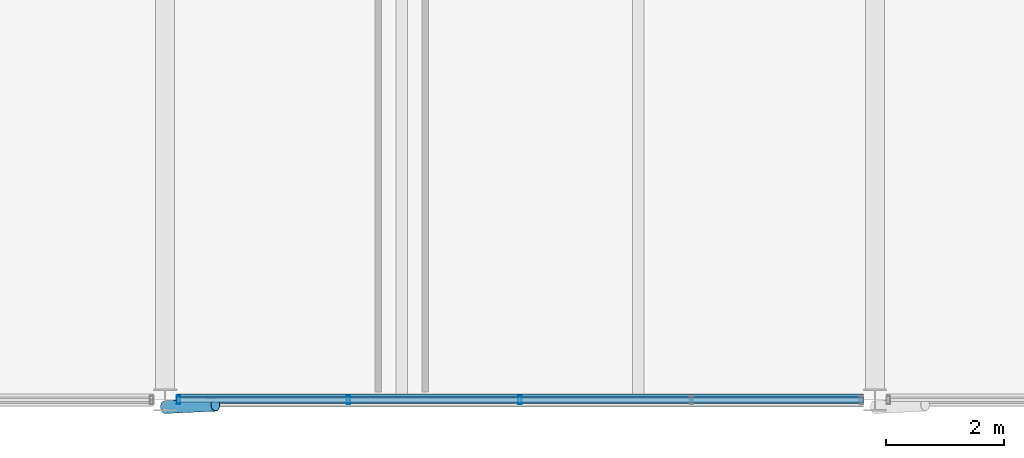
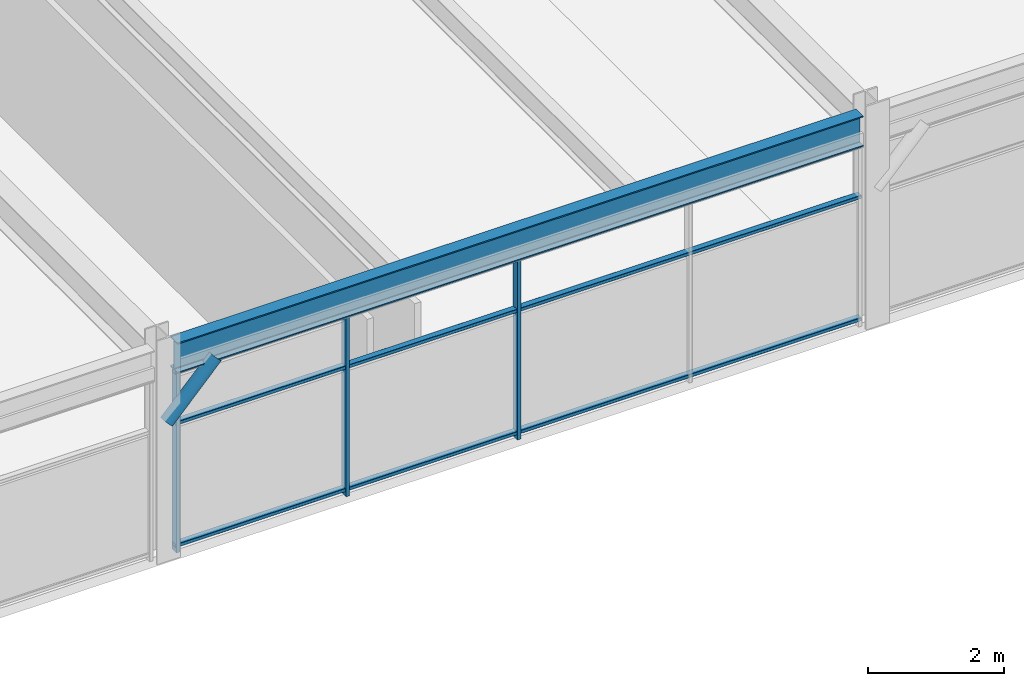
# One storey, part 28 of 52: 7 members, 1 beam, 1 element without a shape of its own.
"""IFC4 building model written with IfcOpenShell, lengths in metres."""

from ifc_helpers import new_model, si_unit, direction, frame, origin, origin_2d, place, context, subcontext, project, spatial, hollow_rectangle, hollow_circle, i_section, extrude, material, material_profile, profile_set, type_object, element, aggregate, save


model = new_model("IFC4")

# Units and contexts
model_context = context("Model", 3, precision=1e-05, world=origin(), true_north=direction((0.0, 1.0)))
body_context = subcontext(model_context, "Body", "Model", "MODEL_VIEW")
ifc_project = project(units=[si_unit("LENGTHUNIT", "METRE"), si_unit("AREAUNIT", "SQUARE_METRE"), si_unit("VOLUMEUNIT", "CUBIC_METRE"), si_unit("PLANEANGLEUNIT", "RADIAN"), si_unit("MASSUNIT", "GRAM", prefix="KILO")], contexts=[model_context])

# Site, building, storey
site_placement = place(None, origin())
site = spatial("IfcSite", under=ifc_project, at=site_placement, CompositionType="ELEMENT")
building_placement = place(site_placement, origin())
building = spatial("IfcBuilding", under=site, at=building_placement, Name="Girod Span Mobility Hub", CompositionType="ELEMENT")
storey_placement = place(building_placement, frame((0.0, 0.0, 45.60009765625)))
storey = spatial("IfcBuildingStorey", under=building, at=storey_placement, Name="L11", CompositionType="ELEMENT", Elevation=45.60009765625)

# Beam
ifc_material_1 = material(Name="Steel A992 Grade 50", Category="steel")
ifc_material_profile_1 = material_profile(ifc_material_1, i_section(OverallWidth=0.2119140625, OverallDepth=0.5439453125, WebThickness=0.01318359375, FlangeThickness=0.021240234375, FilletRadius=0.014892578125, at=origin_2d()), Name="W21X83")
ifc_profile_set_1 = profile_set([ifc_material_profile_1], Name="Steel A992 Grade 50")
beam_type = type_object("IfcBeamType", Name="BM-STL-W21X83", PredefinedType="SPANDREL", material=ifc_profile_set_1)
beam_placement = place(storey_placement, frame((96.194091796875, 27.0, 3.5078125), z_axis=(1.0, 0.0, 0.0), x_axis=(0.0, 1.0, 0.0)))
element("IfcBeam", 1, at=beam_placement, inside=storey, type_object=beam_type, Name="Girder 9-10/C L11", PredefinedType="SPANDREL", context=body_context, shape_type="SweptSolid", body=[
    extrude(i_section(OverallWidth=0.2119140625, OverallDepth=0.5439453125, WebThickness=0.01318359375, FlangeThickness=0.021240234375, FilletRadius=0.014892578125, at=origin_2d()), origin(), (0.0, 0.0, 1.0), 11.61181640625),
])

# Curtain wall, members
ifc_material_2 = material(Name="Thermally Broken Anodised Aluminium", Category="aluminium")
curtain_wall_type = type_object("IfcCurtainWallType", Name="CW-1161X324", PredefinedType="USERDEFINED", material=ifc_material_2)
curtain_wall_placement = place(storey_placement, origin())
curtain_wall = element("IfcCurtainWall", 2, at=curtain_wall_placement, inside=storey, type_object=curtain_wall_type, Name="Unitised Curtain Wall CW-L11-S09 L11", ObjectType="UNITISED CURTAIN WALL", PredefinedType="USERDEFINED")
ifc_material_3 = material(Name="Thermally Broken Anodised Aluminium", Category="aluminium")
ifc_material_profile_2 = material_profile(ifc_material_3, hollow_rectangle(XDim=0.139892578125, YDim=0.06005859375, WallThickness=0.00341796875, InnerFilletRadius=0.00341796875, OuterFilletRadius=0.007080078125, at=origin_2d()), Name="CW-ML-60X140")
ifc_profile_set_2 = profile_set([ifc_material_profile_2], Name="Thermally Broken Anodised Aluminium")
member_type_1 = type_object("IfcMemberType", Name="CWM-ML-4", PredefinedType="MULLION", material=ifc_profile_set_2)
member_1_placement = place(storey_placement, frame((96.22705078125, 27.0, 0.0), z_axis=(0.0, 0.0, 1.0), x_axis=(0.0, 1.0, 0.0)))
member_1 = element("IfcMember", 3, at=member_1_placement, type_object=member_type_1, Name="Curtain Wall Mullion CW-L11-S09-M0", PredefinedType="MULLION", context=body_context, shape_type="SweptSolid", body=[
    extrude(hollow_rectangle(XDim=0.139892578125, YDim=0.06005859375, WallThickness=0.00341796875, InnerFilletRadius=0.00341796875, OuterFilletRadius=0.007080078125, at=origin_2d()), origin(), (0.0, 0.0, 1.0), 3.23583984375),
])
member_2_placement = place(storey_placement, frame((99.097412109375, 27.0, 0.0), z_axis=(0.0, 0.0, 1.0), x_axis=(0.0, 1.0, 0.0)))
member_2 = element("IfcMember", 4, at=member_2_placement, type_object=member_type_1, Name="Curtain Wall Mullion CW-L11-S09-M1", PredefinedType="MULLION", context=body_context, shape_type="SweptSolid", body=[
    extrude(hollow_rectangle(XDim=0.139892578125, YDim=0.06005859375, WallThickness=0.00341796875, InnerFilletRadius=0.00341796875, OuterFilletRadius=0.007080078125, at=origin_2d()), origin(), (0.0, 0.0, 1.0), 3.23583984375),
])
member_3_placement = place(storey_placement, frame((102.0, 27.0, 0.0), z_axis=(0.0, 0.0, 1.0), x_axis=(0.0, 1.0, 0.0)))
member_3 = element("IfcMember", 5, at=member_3_placement, type_object=member_type_1, Name="Curtain Wall Mullion CW-L11-S09-M2", PredefinedType="MULLION", context=body_context, shape_type="SweptSolid", body=[
    extrude(hollow_rectangle(XDim=0.139892578125, YDim=0.06005859375, WallThickness=0.00341796875, InnerFilletRadius=0.00341796875, OuterFilletRadius=0.007080078125, at=origin_2d()), origin(), (0.0, 0.0, 1.0), 3.23583984375),
])
ifc_material_4 = material(Name="Thermally Broken Anodised Aluminium", Category="aluminium")
ifc_material_profile_3 = material_profile(ifc_material_4, hollow_rectangle(XDim=0.10498046875, YDim=0.06005859375, WallThickness=0.00341796875, InnerFilletRadius=0.00341796875, OuterFilletRadius=0.007080078125, at=origin_2d()), Name="CW-TR-60X105")
ifc_profile_set_3 = profile_set([ifc_material_profile_3], Name="Thermally Broken Anodised Aluminium")
member_type_2 = type_object("IfcMemberType", Name="CWM-TR-4", PredefinedType="USERDEFINED", material=ifc_profile_set_3)
member_4_placement = place(storey_placement, frame((96.195068359375, 27.0, 0.10986328125), z_axis=(1.0, 0.0, 0.0), x_axis=(0.0, 1.0, 0.0)))
member_4 = element("IfcMember", 6, at=member_4_placement, type_object=member_type_2, Name="Curtain Wall Transom CW-L11-S09-T1", ObjectType="TRANSOM", PredefinedType="USERDEFINED", context=body_context, shape_type="SweptSolid", body=[
    extrude(hollow_rectangle(XDim=0.10498046875, YDim=0.06005859375, WallThickness=0.00341796875, InnerFilletRadius=0.00341796875, OuterFilletRadius=0.007080078125, at=origin_2d()), origin(), (0.0, 0.0, 1.0), 11.60986328125),
])
member_5_placement = place(storey_placement, frame((96.195068359375, 27.0, 2.2998046875), z_axis=(1.0, 0.0, 0.0), x_axis=(0.0, 1.0, 0.0)))
member_5 = element("IfcMember", 7, at=member_5_placement, type_object=member_type_2, Name="Curtain Wall Transom CW-L11-S09-T2", ObjectType="TRANSOM", PredefinedType="USERDEFINED", context=body_context, shape_type="SweptSolid", body=[
    extrude(hollow_rectangle(XDim=0.10498046875, YDim=0.06005859375, WallThickness=0.00341796875, InnerFilletRadius=0.00341796875, OuterFilletRadius=0.007080078125, at=origin_2d()), origin(), (0.0, 0.0, 1.0), 11.60986328125),
])
member_6_placement = place(storey_placement, frame((96.195068359375, 27.0, 3.205810546875), z_axis=(1.0, 0.0, 0.0), x_axis=(0.0, 1.0, 0.0)))
member_6 = element("IfcMember", 8, at=member_6_placement, type_object=member_type_2, Name="Curtain Wall Transom CW-L11-S09-T3", ObjectType="TRANSOM", PredefinedType="USERDEFINED", context=body_context, shape_type="SweptSolid", body=[
    extrude(hollow_rectangle(XDim=0.10498046875, YDim=0.06005859375, WallThickness=0.00341796875, InnerFilletRadius=0.00341796875, OuterFilletRadius=0.007080078125, at=origin_2d()), origin(), (0.0, 0.0, 1.0), 11.60986328125),
])
aggregate(curtain_wall, [member_1, member_2, member_3, member_4, member_5, member_6])

# Member
ifc_material_5 = material(Name="Steel HSS A500 Grade C", Category="steel")
ifc_material_profile_4 = material_profile(ifc_material_5, hollow_circle(Radius=0.109619140625, WallThickness=0.0087890625, at=origin_2d()), Name="HSS219X9.5")
ifc_profile_set_4 = profile_set([ifc_material_profile_4], Name="Steel HSS A500 Grade C")
member_type_3 = type_object("IfcMemberType", Name="MB-ST-HSS219", PredefinedType="STRUT", material=ifc_profile_set_4)
member_7_placement = place(storey_placement, frame((96.0, 26.8798828125, 2.449951171875), z_axis=(0.706816330442, 0.033290602583, 0.706613338963), x_axis=(-0.047047213483, 0.998892666758, 0.0)))
element("IfcMember", 9, at=member_7_placement, inside=storey, type_object=member_type_3, Name="Solar Shading Knee Strut 9 L11", PredefinedType="STRUT", context=body_context, shape_type="SweptSolid", body=[
    extrude(hollow_circle(Radius=0.109619140625, WallThickness=0.0087890625, at=origin_2d()), origin(), (0.0, 0.0, 1.0), 1.20263671875),
])

save(model, "model.ifc")
